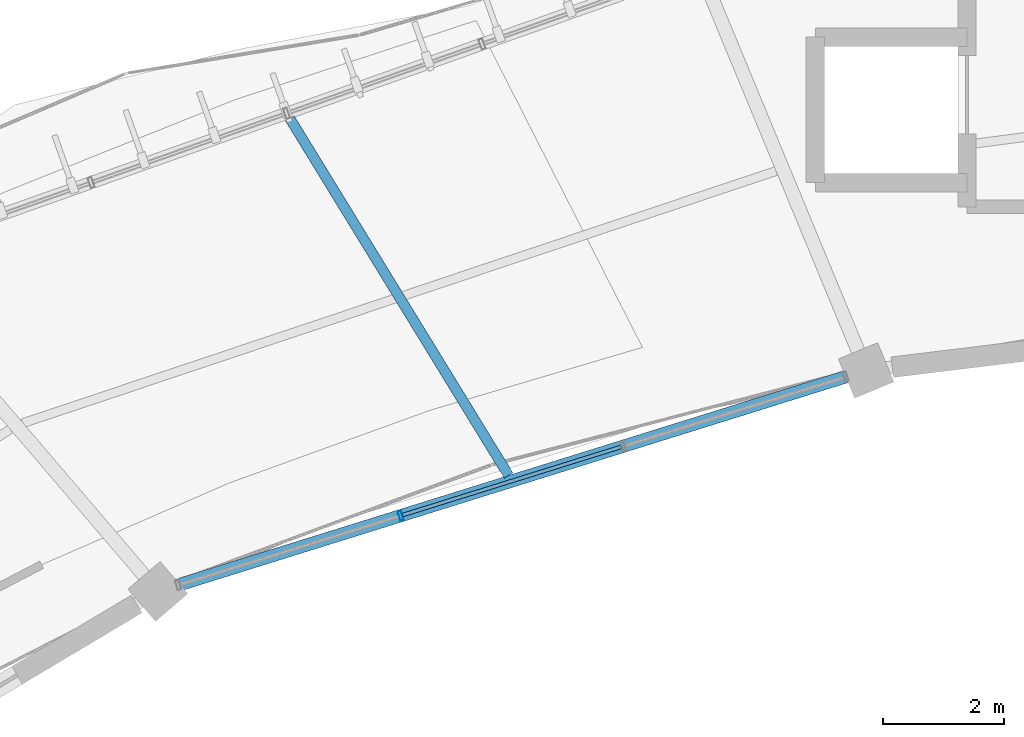
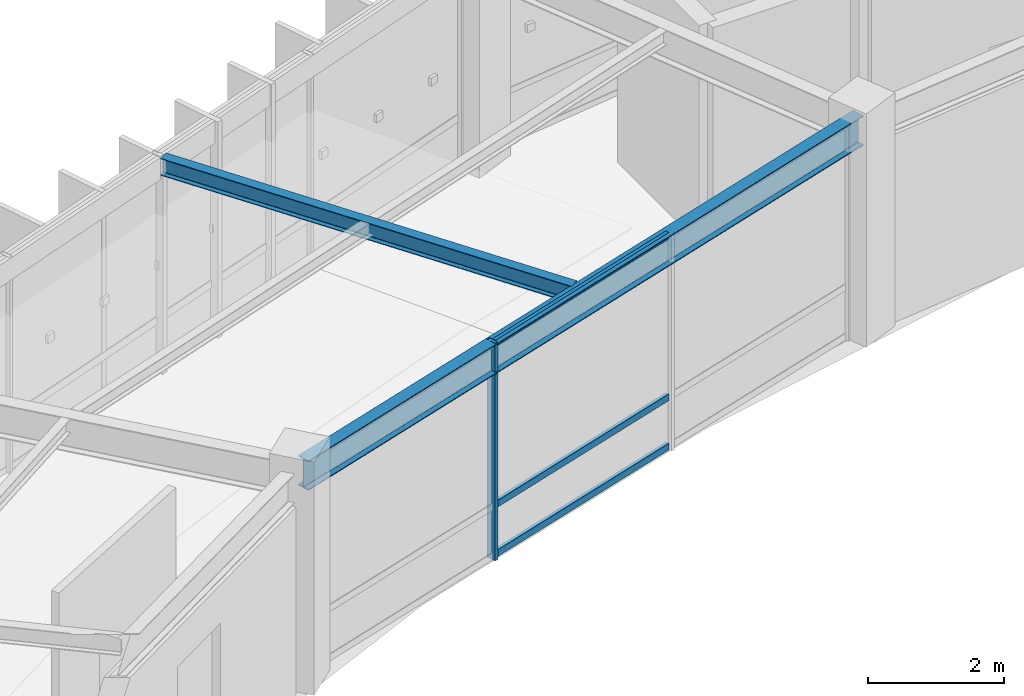
# One storey, part 69 of 152: 4 members, 2 beams, 1 element without a shape of its own.
"""IFC4 building model written with IfcOpenShell, lengths in metres."""

from ifc_helpers import new_model, si_unit, direction, frame, origin, origin_2d, place, context, subcontext, project, spatial, hollow_rectangle, i_section, extrude, material, material_profile, profile_set, type_object, element, aggregate, save


model = new_model("IFC4")

# Units and contexts
model_context = context("Model", 3, precision=1e-05, world=origin(), true_north=direction((0.0, 1.0)))
body_context = subcontext(model_context, "Body", "Model", "MODEL_VIEW")
ifc_project = project(units=[si_unit("LENGTHUNIT", "METRE"), si_unit("AREAUNIT", "SQUARE_METRE"), si_unit("VOLUMEUNIT", "CUBIC_METRE"), si_unit("PLANEANGLEUNIT", "RADIAN"), si_unit("MASSUNIT", "GRAM", prefix="KILO"), si_unit("THERMODYNAMICTEMPERATUREUNIT", "KELVIN"), si_unit("POWERUNIT", "WATT")], contexts=[model_context])

# Site, building, storey
site_placement = place(None, origin())
site = spatial("IfcSite", under=ifc_project, at=site_placement, CompositionType="ELEMENT")
building_placement = place(site_placement, origin())
building = spatial("IfcBuilding", under=site, at=building_placement, Name="Darbajah Civic Hall", CompositionType="ELEMENT")
storey_placement = place(building_placement, frame((0.0, 0.0, 5.39990234375)))
storey = spatial("IfcBuildingStorey", under=building, at=storey_placement, Name="L01", CompositionType="ELEMENT", Elevation=5.39990234375)

# Curtain wall, members
ifc_material_1 = material(Name="Anodised Bronze Aluminium and Low-E Glazing", Category="aluminium")
curtain_wall_type = type_object("IfcCurtainWallType", Name="Unitised Curtain Wall CW-25 11500x3900", PredefinedType="USERDEFINED", material=ifc_material_1)
curtain_wall_placement = place(storey_placement, origin())
curtain_wall = element("IfcCurtainWall", 1, at=curtain_wall_placement, inside=storey, type_object=curtain_wall_type, Name="L01 unitised curtain wall CW-V1I-L01-06", ObjectType="UNITISED CURTAIN WALL", PredefinedType="USERDEFINED")
ifc_material_2 = material(Name="Anodised Bronze Aluminium", Category="aluminium")
ifc_material_profile_1 = material_profile(ifc_material_2, hollow_rectangle(XDim=0.06005859375, YDim=0.159912109375, WallThickness=0.00341796875, at=origin_2d()), Name="ALU MULLION 60x160")
ifc_profile_set_1 = profile_set([ifc_material_profile_1], Name="Anodised Bronze Aluminium")
member_type_1 = type_object("IfcMemberType", Name="ALU MULLION 60x160", PredefinedType="MULLION", material=ifc_profile_set_1)
member_1_placement = place(storey_placement, frame((64.660888671875, 108.007080078125, 0.0), z_axis=(0.0, 0.0, 1.0), x_axis=(-0.954604963513, -0.297874744877, 0.0)))
member_1 = element("IfcMember", 2, at=member_1_placement, type_object=member_type_1, Name="CW-V1I-L01-06 mullion 3", PredefinedType="MULLION", context=body_context, shape_type="SweptSolid", body=[
    extrude(hollow_rectangle(XDim=0.06005859375, YDim=0.159912109375, WallThickness=0.00341796875, at=origin_2d()), origin(), (0.0, 0.0, 1.0), 3.920166015625),
])
ifc_material_profile_2 = material_profile(ifc_material_2, hollow_rectangle(XDim=0.06005859375, YDim=0.1201171875, WallThickness=0.003173828125, at=origin_2d()), Name="ALU TRANSOM 60x120")
ifc_profile_set_2 = profile_set([ifc_material_profile_2], Name="Anodised Bronze Aluminium")
member_type_2 = type_object("IfcMemberType", Name="ALU TRANSOM 60x120", PredefinedType="USERDEFINED", material=ifc_profile_set_2)
member_2_placement = place(storey_placement, frame((68.29833984375, 109.14208984375, 0.06005859375), z_axis=(-0.954611060349, -0.297855205526, 0.0), x_axis=(0.297855205526, -0.954611060349, 0.0)))
member_2 = element("IfcMember", 3, at=member_2_placement, type_object=member_type_2, Name="CW-V1I-L01-06 transom 2.1", ObjectType="TRANSOM", PredefinedType="USERDEFINED", context=body_context, shape_type="SweptSolid", body=[
    extrude(hollow_rectangle(XDim=0.06005859375, YDim=0.1201171875, WallThickness=0.003173828125, at=origin_2d()), origin(), (0.0, 0.0, 1.0), 3.775390625),
])
member_3_placement = place(storey_placement, frame((68.29833984375, 109.14208984375, 0.9501953125), z_axis=(-0.954611060349, -0.297855205526, 0.0), x_axis=(0.297855205526, -0.954611060349, 0.0)))
member_3 = element("IfcMember", 4, at=member_3_placement, type_object=member_type_2, Name="CW-V1I-L01-06 transom 2.2", ObjectType="TRANSOM", PredefinedType="USERDEFINED", context=body_context, shape_type="SweptSolid", body=[
    extrude(hollow_rectangle(XDim=0.06005859375, YDim=0.1201171875, WallThickness=0.003173828125, at=origin_2d()), origin(), (0.0, 0.0, 1.0), 3.775390625),
])
member_4_placement = place(storey_placement, frame((68.29833984375, 109.14208984375, 3.860107421875), z_axis=(-0.954611060349, -0.297855205526, 0.0), x_axis=(0.297855205526, -0.954611060349, 0.0)))
member_4 = element("IfcMember", 5, at=member_4_placement, type_object=member_type_2, Name="CW-V1I-L01-06 transom 2.3", ObjectType="TRANSOM", PredefinedType="USERDEFINED", context=body_context, shape_type="SweptSolid", body=[
    extrude(hollow_rectangle(XDim=0.06005859375, YDim=0.1201171875, WallThickness=0.003173828125, at=origin_2d()), origin(), (0.0, 0.0, 1.0), 3.775390625),
])
aggregate(curtain_wall, [member_1, member_2, member_3, member_4])

# Beams
ifc_material_3 = material(Name="Steel S355JR", Category="steel")
ifc_material_profile_3 = material_profile(ifc_material_3, i_section(OverallWidth=0.165771484375, OverallDepth=0.306640625, WebThickness=0.006591796875, FlangeThickness=0.01171875, FilletRadius=0.0087890625, at=origin_2d()), Name="UB 305x165x46")
ifc_profile_set_3 = profile_set([ifc_material_profile_3], Name="Steel S355JR")
beam_type_1 = type_object("IfcBeamType", Name="UB 305x165x46", PredefinedType="JOIST", material=ifc_profile_set_3)
beam_1_placement = place(storey_placement, frame((66.44091796875, 108.670166015625, 3.766845703125), z_axis=(-0.522498199588, 0.852640388105, 0.0), x_axis=(-0.852640388105, -0.522498199588, 0.0)))
element("IfcBeam", 6, at=beam_1_placement, inside=storey, type_object=beam_type_1, Name="L01 beam SJ-305", PredefinedType="JOIST", context=body_context, shape_type="SweptSolid", body=[
    extrude(i_section(OverallWidth=0.165771484375, OverallDepth=0.306640625, WebThickness=0.006591796875, FlangeThickness=0.01171875, FilletRadius=0.0087890625, at=origin_2d()), origin(), (0.0, 0.0, 1.0), 6.9033203125),
])
ifc_material_profile_4 = material_profile(ifc_material_3, i_section(OverallWidth=0.209228515625, OverallDepth=0.533203125, WebThickness=0.010009765625, FlangeThickness=0.015625, FilletRadius=0.0126953125, at=origin_2d()), Name="UB 533x210x92")
ifc_profile_set_4 = profile_set([ifc_material_profile_4], Name="Steel S355JR")
beam_type_2 = type_object("IfcBeamType", Name="UB 533x210x92", PredefinedType="BEAM", material=ifc_profile_set_4)
beam_2_placement = place(storey_placement, frame((72.26220703125, 110.378662109375, 3.653564453125), z_axis=(-0.954619766764, -0.297827300468, 0.0), x_axis=(0.297827300468, -0.954619766764, 0.0)))
element("IfcBeam", 7, at=beam_2_placement, inside=storey, type_object=beam_type_2, Name="L01 beam SB-533", PredefinedType="BEAM", context=body_context, shape_type="SweptSolid", body=[
    extrude(i_section(OverallWidth=0.209228515625, OverallDepth=0.533203125, WebThickness=0.010009765625, FlangeThickness=0.015625, FilletRadius=0.0126953125, at=origin_2d()), origin(), (0.0, 0.0, 1.0), 12.07958984375),
])

save(model, "model.ifc")
